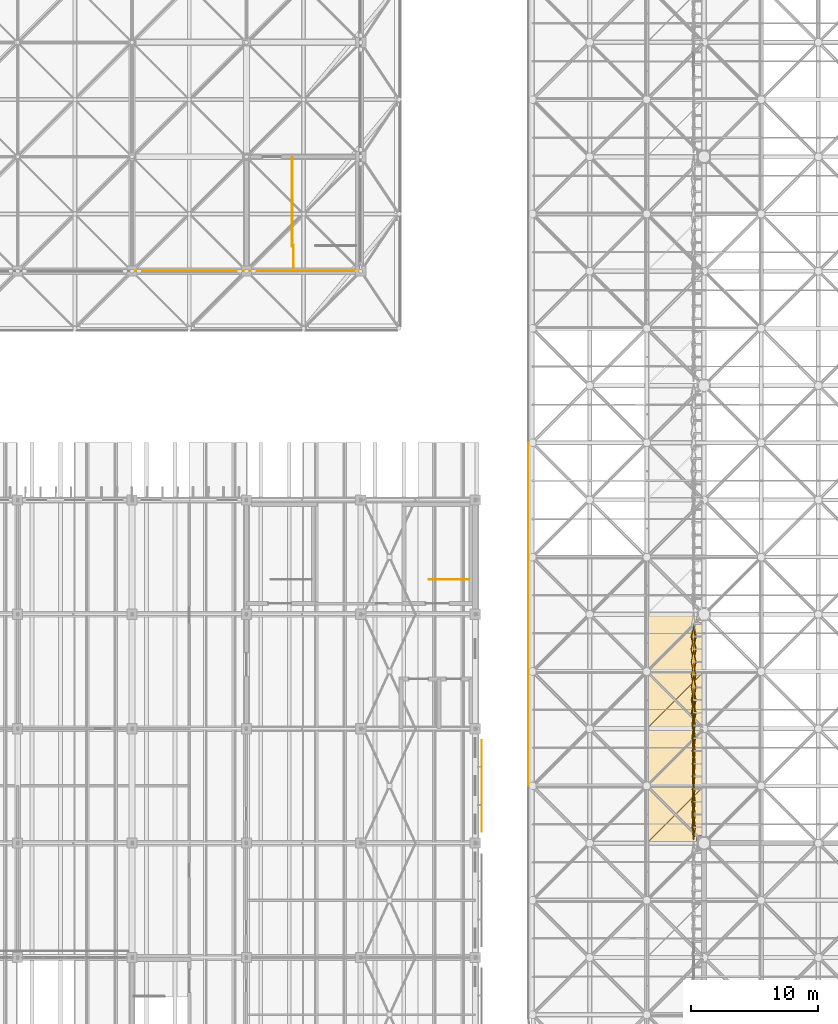
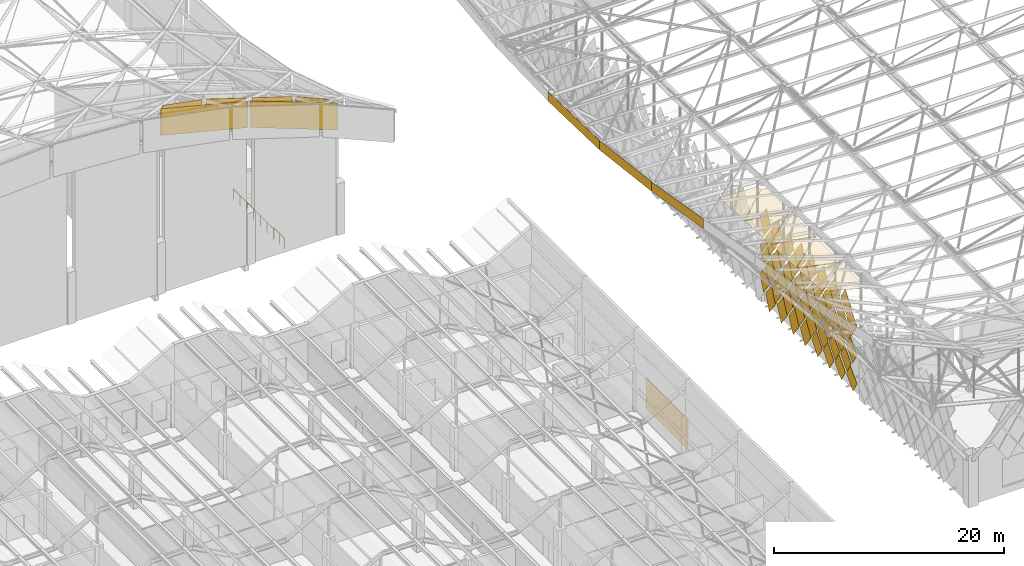
# One storey, part 410 of 437: 66 coverings, 3 railings.
"""IFC4 building model written with IfcOpenShell, lengths in metres."""

from ifc_helpers import new_model, si_unit, direction, frame, origin, origin_2d, place, context, subcontext, project, spatial, polyline, rectangle, circle, outline, extrude, material, layer, layer_set, constituent, constituent_set, material_profile, profile_set, type_object, element, save


model = new_model("IFC4")

# Units and contexts
model_context = context("Model", 3, precision=1e-05, world=origin(), true_north=direction((0.0, 1.0)))
body_context = subcontext(model_context, "Body", "Model", "MODEL_VIEW")
ifc_project = project(units=[si_unit("LENGTHUNIT", "METRE"), si_unit("AREAUNIT", "SQUARE_METRE"), si_unit("VOLUMEUNIT", "CUBIC_METRE"), si_unit("PLANEANGLEUNIT", "RADIAN"), si_unit("MASSUNIT", "GRAM", prefix="KILO")], contexts=[model_context])

# Site, building, storey
site_placement = place(None, origin())
site = spatial("IfcSite", under=ifc_project, at=site_placement, CompositionType="ELEMENT")
building_placement = place(site_placement, origin())
building = spatial("IfcBuilding", under=site, at=building_placement, Name="Opaline Strait Convention Centre", CompositionType="ELEMENT")
storey_placement = place(building_placement, frame((0.0, 0.0, 11.5)))
storey = spatial("IfcBuildingStorey", under=building, at=storey_placement, Name="L02", CompositionType="ELEMENT", Elevation=11.5)

# Coverings
ifc_material_1 = material(Name="White ceramic-faced aluminium tile", Category="aluminium")
ifc_material_profile_1 = material_profile(ifc_material_1, outline(polyline([(0.927978515625, 0.0), (0.0, 1.39208984375), (-0.927978515625, 0.0), (0.0, -1.39208984375), (0.927978515625, 0.0)])), Name="Diamond tile 1856x2784")
ifc_profile_set_1 = profile_set([ifc_material_profile_1], Name="White ceramic-faced aluminium tile")
covering_type_1 = type_object("IfcCoveringType", Name="Diamond wall tile 1856x2784x30 pivot 2.5 deg", PredefinedType="CLADDING", material=ifc_profile_set_1)
for number, where, z_axis, x_axis, name in (
    (1, (98.199951171875, 81.25, 1.89208984375), (-0.999174794796, 0.0, 0.040616861577), (0.0, -1.0, 0.0), "Wall tile XT05 W"),
    (2, (98.199951171875, 79.25, 1.89208984375), (-0.998812351125, 0.0, -0.048722553713), (0.0, -1.0, 0.0), "Wall tile XT05 W"),
    (3, (98.199951171875, 80.25, 3.39208984375), (-0.999174794796, 0.0, 0.040616861577), (0.0, -1.0, 0.0), "Wall tile XT05 W"),
    (4, (98.199951171875, 78.25, 3.39208984375), (-0.998812351125, 0.0, -0.048722553713), (0.0, -1.0, 0.0), "Wall tile XT05 W"),
    (5, (98.199951171875, 79.25, 4.89208984375), (-0.999174794796, 0.0, 0.040616861577), (0.0, -1.0, 0.0), "Wall tile XT05 W"),
    (6, (98.199951171875, 77.25, 4.89208984375), (-0.998812351125, 0.0, -0.048722553713), (0.0, -1.0, 0.0), "Wall tile XT05 W"),
    (7, (98.199951171875, 75.25, 4.89208984375), (-0.998812351125, 0.0, -0.048722553713), (0.0, -1.0, 0.0), "Wall tile XT05 W"),
    (8, (98.199951171875, 78.25, 6.39208984375), (-0.999174794796, 0.0, 0.040616861577), (0.0, -1.0, 0.0), "Wall tile XT05 W"),
    (9, (98.199951171875, 76.25, 6.39208984375), (-0.998812351125, 0.0, -0.048722553713), (0.0, -1.0, 0.0), "Wall tile XT05 W"),
    (10, (98.199951171875, 74.25, 6.39208984375), (-0.998812351125, 0.0, -0.048722553713), (0.0, -1.0, 0.0), "Wall tile XT05 W"),
    (11, (98.199951171875, 77.25, 7.89208984375), (-0.999174794796, 0.0, 0.040616861577), (0.0, -1.0, 0.0), "Wall tile XT05 W"),
    (12, (98.199951171875, 75.25, 7.89208984375), (-0.998812351125, 0.0, -0.048722553713), (0.0, -1.0, 0.0), "Wall tile XT05 W"),
    (13, (98.199951171875, 73.25, 7.89208984375), (-0.998812351125, 0.0, -0.048722553713), (0.0, -1.0, 0.0), "Wall tile XT05 W"),
    (14, (98.199951171875, 76.25, 9.39208984375), (-0.999174794796, 0.0, 0.040616861577), (0.0, -1.0, 0.0), "Wall tile XT05 W"),
    (15, (98.199951171875, 74.25, 9.39208984375), (-0.998812351125, 0.0, -0.048722553713), (0.0, -1.0, 0.0), "Wall tile XT05 W"),
):
    element("IfcCovering", number, at=place(storey_placement, frame(where, z_axis=z_axis, x_axis=x_axis)), inside=storey, type_object=covering_type_1, Name=name, PredefinedType="CLADDING", context=body_context, shape_type="SweptSolid", body=[
        extrude(outline(polyline([(0.927978515625, 0.0), (0.0, 1.39208984375), (-0.927978515625, 0.0), (0.0, -1.39208984375), (0.927978515625, 0.0)])), origin(), (0.0, 0.0, 1.0), 0.030029296875),
    ])
ifc_material_profile_2 = material_profile(ifc_material_1, outline(polyline([(0.927978515625, 0.0), (0.0, 1.39208984375), (-0.927978515625, 0.0), (0.0, -1.39208984375), (0.927978515625, 0.0)])), Name="Diamond tile 1856x2784")
ifc_profile_set_2 = profile_set([ifc_material_profile_2], Name="White ceramic-faced aluminium tile")
covering_type_2 = type_object("IfcCoveringType", Name="Diamond wall tile 1856x2784x30 pivot 3 deg", PredefinedType="CLADDING", material=ifc_profile_set_2)
for number, where, z_axis, x_axis, name in (
    (16, (98.199951171875, 77.25, 1.89208984375), (-0.998384516691, 0.0, -0.056818631031), (0.0, -1.0, 0.0), "Wall tile XT06 W"),
    (17, (98.199951171875, 76.25, 3.39208984375), (-0.998384516691, 0.0, -0.056818631031), (0.0, -1.0, 0.0), "Wall tile XT06 W"),
):
    element("IfcCovering", number, at=place(storey_placement, frame(where, z_axis=z_axis, x_axis=x_axis)), inside=storey, type_object=covering_type_2, Name=name, PredefinedType="CLADDING", context=body_context, shape_type="SweptSolid", body=[
        extrude(outline(polyline([(0.927978515625, 0.0), (0.0, 1.39208984375), (-0.927978515625, 0.0), (0.0, -1.39208984375), (0.927978515625, 0.0)])), origin(), (0.0, 0.0, 1.0), 0.030029296875),
    ])
ifc_material_profile_3 = material_profile(ifc_material_1, outline(polyline([(0.927978515625, 0.0), (0.0, 1.39208984375), (-0.927978515625, 0.0), (0.0, -1.39208984375), (0.927978515625, 0.0)])), Name="Diamond tile 1856x2784")
ifc_profile_set_3 = profile_set([ifc_material_profile_3], Name="White ceramic-faced aluminium tile")
covering_type_3 = type_object("IfcCoveringType", Name="Diamond wall tile 1856x2784x30 pivot 4 deg", PredefinedType="CLADDING", material=ifc_profile_set_3)
for number, where, z_axis, x_axis, name in (
    (18, (98.199951171875, 83.25, 1.89208984375), (-0.99785694905, 0.0, 0.065433242561), (0.0, -1.0, 0.0), "Wall tile XT08 W"),
    (19, (98.199951171875, 82.25, 3.39208984375), (-0.99785694905, 0.0, 0.065433242561), (0.0, -1.0, 0.0), "Wall tile XT08 W"),
    (20, (98.199951171875, 81.25, 4.89208984375), (-0.99785694905, 0.0, 0.065433242561), (0.0, -1.0, 0.0), "Wall tile XT08 W"),
    (21, (98.199951171875, 73.25, 4.89208984375), (-0.997290013252, 0.0, -0.073570574748), (0.0, -1.0, 0.0), "Wall tile XT08 W"),
    (22, (98.199951171875, 80.25, 6.39208984375), (-0.99785694905, 0.0, 0.065433242561), (0.0, -1.0, 0.0), "Wall tile XT08 W"),
):
    element("IfcCovering", number, at=place(storey_placement, frame(where, z_axis=z_axis, x_axis=x_axis)), inside=storey, type_object=covering_type_3, Name=name, PredefinedType="CLADDING", context=body_context, shape_type="SweptSolid", body=[
        extrude(outline(polyline([(0.927978515625, 0.0), (0.0, 1.39208984375), (-0.927978515625, 0.0), (0.0, -1.39208984375), (0.927978515625, 0.0)])), origin(), (0.0, 0.0, 1.0), 0.02978515625),
    ])
ifc_material_profile_4 = material_profile(ifc_material_1, outline(polyline([(0.927978515625, 0.0), (0.0, 1.39208984375), (-0.927978515625, 0.0), (0.0, -1.39208984375), (0.927978515625, 0.0)])), Name="Diamond tile 1856x2784")
ifc_profile_set_4 = profile_set([ifc_material_profile_4], Name="White ceramic-faced aluminium tile")
covering_type_4 = type_object("IfcCoveringType", Name="Diamond wall tile 1856x2784x30 pivot 4.5 deg", PredefinedType="CLADDING", material=ifc_profile_set_4)
for number, where, z_axis, x_axis, name in (
    (23, (98.199951171875, 74.25, 3.39208984375), (-0.996657521232, 0.0, -0.081693239445), (0.0, -1.0, 0.0), "Wall tile XT09 W"),
    (24, (98.199951171875, 79.25, 7.89208984375), (-0.997290013252, 0.0, 0.073570574748), (0.0, -1.0, 0.0), "Wall tile XT09 W"),
    (25, (98.199951171875, 78.25, 9.39208984375), (-0.997290013252, 0.0, 0.073570574748), (0.0, -1.0, 0.0), "Wall tile XT09 W"),
):
    element("IfcCovering", number, at=place(storey_placement, frame(where, z_axis=z_axis, x_axis=x_axis)), inside=storey, type_object=covering_type_4, Name=name, PredefinedType="CLADDING", context=body_context, shape_type="SweptSolid", body=[
        extrude(outline(polyline([(0.927978515625, 0.0), (0.0, 1.39208984375), (-0.927978515625, 0.0), (0.0, -1.39208984375), (0.927978515625, 0.0)])), origin(), (0.0, 0.0, 1.0), 0.02978515625),
    ])
ifc_material_profile_5 = material_profile(ifc_material_1, outline(polyline([(0.927978515625, 0.0), (0.0, 1.39208984375), (-0.927978515625, 0.0), (0.0, -1.39208984375), (0.927978515625, 0.0)])), Name="Diamond tile 1856x2784")
ifc_profile_set_5 = profile_set([ifc_material_profile_5], Name="White ceramic-faced aluminium tile")
covering_type_5 = type_object("IfcCoveringType", Name="Diamond wall tile 1856x2784x30 pivot 5 deg", PredefinedType="CLADDING", material=ifc_profile_set_5)
for number, where, z_axis, x_axis, name in (
    (26, (98.199951171875, 75.25, 1.89208984375), (-0.995959849254, 0.0, -0.089799658539), (0.0, -1.0, 0.0), "Wall tile XT10 W"),
    (27, (98.199951171875, 88.25, 9.39208984375), (-0.996657521232, 0.0, 0.081693239445), (0.0, -1.0, 0.0), "Wall tile XT10 W"),
):
    element("IfcCovering", number, at=place(storey_placement, frame(where, z_axis=z_axis, x_axis=x_axis)), inside=storey, type_object=covering_type_5, Name=name, PredefinedType="CLADDING", context=body_context, shape_type="SweptSolid", body=[
        extrude(outline(polyline([(0.927978515625, 0.0), (0.0, 1.39208984375), (-0.927978515625, 0.0), (0.0, -1.39208984375), (0.927978515625, 0.0)])), origin(), (0.0, 0.0, 1.0), 0.02978515625),
    ])
ifc_material_profile_6 = material_profile(ifc_material_1, outline(polyline([(0.927978515625, 0.0), (0.0, 1.39208984375), (-0.927978515625, 0.0), (0.0, -1.39208984375), (0.927978515625, 0.0)])), Name="Diamond tile 1856x2784")
ifc_profile_set_6 = profile_set([ifc_material_profile_6], Name="White ceramic-faced aluminium tile")
covering_type_6 = type_object("IfcCoveringType", Name="Diamond wall tile 1856x2784x30 pivot 5.5 deg", PredefinedType="CLADDING", material=ifc_profile_set_6)
covering_1_placement = place(storey_placement, frame((98.199951171875, 73.25, 1.89208984375), z_axis=(-0.995197410875, 0.0, -0.097888269922), x_axis=(0.0, -1.0, 0.0)))
element("IfcCovering", 28, at=covering_1_placement, inside=storey, type_object=covering_type_6, Name="Wall tile XT11 W", PredefinedType="CLADDING", context=body_context, shape_type="SweptSolid", body=[
    extrude(outline(polyline([(0.927978515625, 0.0), (0.0, 1.39208984375), (-0.927978515625, 0.0), (0.0, -1.39208984375), (0.927978515625, 0.0)])), origin(), (0.0, 0.0, 1.0), 0.030029296875),
])
ifc_material_profile_7 = material_profile(ifc_material_1, outline(polyline([(0.927978515625, 0.0), (0.0, 1.39208984375), (-0.927978515625, 0.0), (0.0, -1.39208984375), (0.927978515625, 0.0)])), Name="Diamond tile 1856x2784")
ifc_profile_set_7 = profile_set([ifc_material_profile_7], Name="White ceramic-faced aluminium tile")
covering_type_7 = type_object("IfcCoveringType", Name="Diamond wall tile 1856x2784x30 pivot 6 deg", PredefinedType="CLADDING", material=ifc_profile_set_7)
for number, where, z_axis, x_axis, name in (
    (29, (98.199951171875, 85.25, 1.89208984375), (-0.995197410875, 0.0, 0.097888269922), (0.0, -1.0, 0.0), "Wall tile XT12 W"),
    (30, (98.199951171875, 84.25, 3.39208984375), (-0.995197410875, 0.0, 0.097888269922), (0.0, -1.0, 0.0), "Wall tile XT12 W"),
    (31, (98.199951171875, 83.25, 4.89208984375), (-0.995197410875, 0.0, 0.097888269922), (0.0, -1.0, 0.0), "Wall tile XT12 W"),
    (32, (98.199951171875, 81.25, 7.89208984375), (-0.995197410875, 0.0, 0.097888269922), (0.0, -1.0, 0.0), "Wall tile XT12 W"),
    (33, (98.199951171875, 80.25, 9.39208984375), (-0.995197410875, 0.0, 0.097888269922), (0.0, -1.0, 0.0), "Wall tile XT12 W"),
):
    element("IfcCovering", number, at=place(storey_placement, frame(where, z_axis=z_axis, x_axis=x_axis)), inside=storey, type_object=covering_type_7, Name=name, PredefinedType="CLADDING", context=body_context, shape_type="SweptSolid", body=[
        extrude(outline(polyline([(0.927978515625, 0.0), (0.0, 1.39208984375), (-0.927978515625, 0.0), (0.0, -1.39208984375), (0.927978515625, 0.0)])), origin(), (0.0, 0.0, 1.0), 0.030029296875),
    ])
ifc_material_profile_8 = material_profile(ifc_material_1, outline(polyline([(0.927978515625, 0.0), (0.0, 1.39208984375), (-0.927978515625, 0.0), (0.0, -1.39208984375), (0.927978515625, 0.0)])), Name="Diamond tile 1856x2784")
ifc_profile_set_8 = profile_set([ifc_material_profile_8], Name="White ceramic-faced aluminium tile")
covering_type_8 = type_object("IfcCoveringType", Name="Diamond wall tile 1856x2784x30 pivot 6.5 deg", PredefinedType="CLADDING", material=ifc_profile_set_8)
for number, where, z_axis, x_axis, name in (
    (34, (98.199951171875, 82.25, 6.39208984375), (-0.993480071526, 0.0, 0.114005909847), (0.0, -1.0, 0.0), "Wall tile XT13 W"),
    (35, (98.199951171875, 86.25, 9.39208984375), (-0.993480071526, 0.0, 0.114005909847), (0.0, -1.0, 0.0), "Wall tile XT13 W"),
):
    element("IfcCovering", number, at=place(storey_placement, frame(where, z_axis=z_axis, x_axis=x_axis)), inside=storey, type_object=covering_type_8, Name=name, PredefinedType="CLADDING", context=body_context, shape_type="SweptSolid", body=[
        extrude(outline(polyline([(0.927978515625, 0.0), (0.0, 1.39208984375), (-0.927978515625, 0.0), (0.0, -1.39208984375), (0.927978515625, 0.0)])), origin(), (0.0, 0.0, 1.0), 0.030029296875),
    ])
ifc_material_profile_9 = material_profile(ifc_material_1, outline(polyline([(0.927978515625, 0.0), (0.0, 1.39208984375), (-0.927978515625, 0.0), (0.0, -1.39208984375), (0.927978515625, 0.0)])), Name="Diamond tile 1856x2784")
ifc_profile_set_9 = profile_set([ifc_material_profile_9], Name="White ceramic-faced aluminium tile")
covering_type_9 = type_object("IfcCoveringType", Name="Diamond wall tile 1856x2784x30 pivot 7 deg", PredefinedType="CLADDING", material=ifc_profile_set_9)
for number, where, z_axis, x_axis, name in (
    (36, (98.199951171875, 86.25, 3.39208984375), (-0.992526177815, 0.0, 0.122031907108), (0.0, -1.0, 0.0), "Wall tile XT14 W"),
    (37, (98.199951171875, 88.25, 6.39208984375), (-0.992526177815, 0.0, 0.122031907108), (0.0, -1.0, 0.0), "Wall tile XT14 W"),
    (38, (98.199951171875, 87.25, 7.89208984375), (-0.992526177815, 0.0, 0.122031907108), (0.0, -1.0, 0.0), "Wall tile XT14 W"),
):
    element("IfcCovering", number, at=place(storey_placement, frame(where, z_axis=z_axis, x_axis=x_axis)), inside=storey, type_object=covering_type_9, Name=name, PredefinedType="CLADDING", context=body_context, shape_type="SweptSolid", body=[
        extrude(outline(polyline([(0.927978515625, 0.0), (0.0, 1.39208984375), (-0.927978515625, 0.0), (0.0, -1.39208984375), (0.927978515625, 0.0)])), origin(), (0.0, 0.0, 1.0), 0.030029296875),
    ])
ifc_material_profile_10 = material_profile(ifc_material_1, outline(polyline([(0.927978515625, 0.0), (0.0, 1.39208984375), (-0.927978515625, 0.0), (0.0, -1.39208984375), (0.927978515625, 0.0)])), Name="Diamond tile 1856x2784")
ifc_profile_set_10 = profile_set([ifc_material_profile_10], Name="White ceramic-faced aluminium tile")
covering_type_10 = type_object("IfcCoveringType", Name="Diamond wall tile 1856x2784x30 pivot 7.5 deg", PredefinedType="CLADDING", material=ifc_profile_set_10)
for number, where, z_axis, x_axis, name in (
    (39, (98.199951171875, 87.25, 1.89208984375), (-0.991509530601, 0.0, 0.1300340368), (0.0, -1.0, 0.0), "Wall tile XT15 W"),
    (40, (98.199951171875, 85.25, 4.89208984375), (-0.991509530601, 0.0, 0.1300340368), (0.0, -1.0, 0.0), "Wall tile XT15 W"),
    (41, (98.199951171875, 86.25, 6.39208984375), (-0.991509530601, 0.0, 0.1300340368), (0.0, -1.0, 0.0), "Wall tile XT15 W"),
    (42, (98.199951171875, 84.25, 6.39208984375), (-0.991509530601, 0.0, 0.1300340368), (0.0, -1.0, 0.0), "Wall tile XT15 W"),
    (43, (98.199951171875, 85.25, 7.89208984375), (-0.991509530601, 0.0, 0.1300340368), (0.0, -1.0, 0.0), "Wall tile XT15 W"),
    (44, (98.199951171875, 83.25, 7.89208984375), (-0.991509530601, 0.0, 0.1300340368), (0.0, -1.0, 0.0), "Wall tile XT15 W"),
    (45, (98.199951171875, 84.25, 9.39208984375), (-0.991509530601, 0.0, 0.1300340368), (0.0, -1.0, 0.0), "Wall tile XT15 W"),
    (46, (98.199951171875, 82.25, 9.39208984375), (-0.991509530601, 0.0, 0.1300340368), (0.0, -1.0, 0.0), "Wall tile XT15 W"),
):
    element("IfcCovering", number, at=place(storey_placement, frame(where, z_axis=z_axis, x_axis=x_axis)), inside=storey, type_object=covering_type_10, Name=name, PredefinedType="CLADDING", context=body_context, shape_type="SweptSolid", body=[
        extrude(outline(polyline([(0.927978515625, 0.0), (0.0, 1.39208984375), (-0.927978515625, 0.0), (0.0, -1.39208984375), (0.927978515625, 0.0)])), origin(), (0.0, 0.0, 1.0), 0.030029296875),
    ])
ifc_material_profile_11 = material_profile(ifc_material_1, outline(polyline([(0.927978515625, 0.0), (0.0, 1.39208984375), (-0.927978515625, 0.0), (0.0, -1.39208984375), (0.927978515625, 0.0)])), Name="Diamond tile 1856x2784")
ifc_profile_set_11 = profile_set([ifc_material_profile_11], Name="White ceramic-faced aluminium tile")
covering_type_11 = type_object("IfcCoveringType", Name="Diamond wall tile 1856x2784x30 pivot 8 deg", PredefinedType="CLADDING", material=ifc_profile_set_11)
for number, where, z_axis, x_axis, name in (
    (47, (98.199951171875, 88.25, 3.39208984375), (-0.990274204789, 0.0, 0.139129433731), (0.0, -1.0, 0.0), "Wall tile XT16 W"),
    (48, (98.199951171875, 87.25, 4.89208984375), (-0.990274204789, 0.0, 0.139129433731), (0.0, -1.0, 0.0), "Wall tile XT16 W"),
):
    element("IfcCovering", number, at=place(storey_placement, frame(where, z_axis=z_axis, x_axis=x_axis)), inside=storey, type_object=covering_type_11, Name=name, PredefinedType="CLADDING", context=body_context, shape_type="SweptSolid", body=[
        extrude(outline(polyline([(0.927978515625, 0.0), (0.0, 1.39208984375), (-0.927978515625, 0.0), (0.0, -1.39208984375), (0.927978515625, 0.0)])), origin(), (0.0, 0.0, 1.0), 0.02978515625),
    ])
ifc_material_2 = material(Name="White aluminium fascia plate", Category="aluminium")
ifc_layer_1 = layer(ifc_material_2, 0.02001953125)
ifc_layer_set_1 = layer_set([ifc_layer_1], Name="White aluminium fascia plate")
covering_type_12 = type_object("IfcCoveringType", Name="Edge fascia plate 20 aluminium", PredefinedType="CLADDING", material=ifc_layer_set_1)
covering_2_placement = place(storey_placement, frame((85.199951171875, 99.0, 18.12646484375), z_axis=(-1.0, 0.0, 0.0), x_axis=(0.0, -1.0, 0.0)))
element("IfcCovering", 49, at=covering_2_placement, inside=storey, type_object=covering_type_12, Name="Edge fascia plate W", PredefinedType="CLADDING", context=body_context, shape_type="SweptSolid", body=[
    extrude(outline(polyline([(-4.5, 0.373779296875), (4.5, 0.62646484375), (4.5, -0.37353515625), (-4.5, -0.626220703125), (-4.5, 0.373779296875)])), origin(), (0.0, 0.0, 1.0), 0.02001953125),
])
covering_3_placement = place(storey_placement, frame((85.199951171875, 90.0, 18.79638671875), z_axis=(-1.0, 0.0, 0.0), x_axis=(0.0, -1.0, 0.0)))
element("IfcCovering", 50, at=covering_3_placement, inside=storey, type_object=covering_type_12, Name="Edge fascia plate W", PredefinedType="CLADDING", context=body_context, shape_type="SweptSolid", body=[
    extrude(outline(polyline([(-4.5, -0.043701171875), (4.5, 1.043701171875), (4.5, 0.043701171875), (-4.5, -1.043701171875), (-4.5, -0.043701171875)])), origin(), (0.0, 0.0, 1.0), 0.02001953125),
])
covering_4_placement = place(storey_placement, frame((85.199951171875, 81.0, 20.103515625), z_axis=(-1.0, 0.0, 0.0), x_axis=(0.0, -1.0, 0.0)))
element("IfcCovering", 51, at=covering_4_placement, inside=storey, type_object=covering_type_12, Name="Edge fascia plate W", PredefinedType="CLADDING", context=body_context, shape_type="SweptSolid", body=[
    extrude(outline(polyline([(-4.5, -0.263671875), (4.5, 1.263671875), (4.5, 0.263671875), (-4.5, -1.263671875), (-4.5, -0.263671875)])), origin(), (0.0, 0.0, 1.0), 0.02001953125),
])
ifc_material_3 = material(Name="Perforated aluminium sheet", Category="aluminium")
ifc_layer_2 = layer(ifc_material_3, 0.030029296875)
ifc_layer_set_2 = layer_set([ifc_layer_2], Name="Perforated aluminium sheet")
covering_type_13 = type_object("IfcCoveringType", Name="Perforated aluminium screen 7200x3300", PredefinedType="CLADDING", material=ifc_layer_set_2)
covering_5_placement = place(storey_placement, frame((81.514892578125, 76.5, 0.39990234375), z_axis=(0.0, 0.0, 1.0), x_axis=(1.0, 0.0, 0.0)))
element("IfcCovering", 52, at=covering_5_placement, inside=storey, type_object=covering_type_13, Name="Perforated screen L02 bay 8", PredefinedType="CLADDING", context=body_context, shape_type="SweptSolid", body=[
    extrude(rectangle(XDim=0.030029296875, YDim=7.199951171875, at=origin_2d()), origin(), (0.0, 0.0, 1.0), 3.300048828125),
])

# Railings
ifc_material_4 = material(Name="Steel Q355B", Category="steel")
ifc_constituent_1 = constituent(ifc_material_4, Name="Frame")
ifc_material_5 = material(Name="Safety glass, bonded interlayer", Category="glass")
ifc_constituent_2 = constituent(ifc_material_5, Name="Infill")
ifc_constituent_set_1 = constituent_set(constituents=[ifc_constituent_1, ifc_constituent_2], Name="Steel Q355B, Safety glass, bonded interlayer")
railing_type_1 = type_object("IfcRailingType", Name="Seating guard 1100 steel and glass", PredefinedType="GUARDRAIL", material=ifc_constituent_set_1)
railing_1_placement = place(storey_placement, frame((66.60009765625, 118.949951171875, 0.0)))
element("IfcRailing", 53, at=railing_1_placement, inside=storey, type_object=railing_type_1, Name="L02 PSR2 top well guard 2", PredefinedType="GUARDRAIL", context=body_context, shape_type="SweptSolid", body=[
    extrude(circle(Radius=0.02392578125, at=origin_2d()), frame((0.0, 0.0, 1.076171875), z_axis=(0.0, 1.0, 0.0), x_axis=(-1.0, 0.0, 0.0)), (0.0, 0.0, 1.0), 7.0),
    extrude(circle(Radius=0.02099609375, at=origin_2d()), origin(), (0.0, 0.0, 1.0), 1.052001953125),
    extrude(circle(Radius=0.02099609375, at=origin_2d()), frame((0.0, 1.166748046875, 0.0)), (0.0, 0.0, 1.0), 1.052001953125),
    extrude(circle(Radius=0.02099609375, at=origin_2d()), frame((0.0, 2.333251953125, 0.0)), (0.0, 0.0, 1.0), 1.052001953125),
    extrude(circle(Radius=0.02099609375, at=origin_2d()), frame((0.0, 3.5, 0.0)), (0.0, 0.0, 1.0), 1.052001953125),
    extrude(circle(Radius=0.02099609375, at=origin_2d()), frame((0.0, 4.666748046875, 0.0)), (0.0, 0.0, 1.0), 1.052001953125),
    extrude(circle(Radius=0.02099609375, at=origin_2d()), frame((0.0, 5.833251953125, 0.0)), (0.0, 0.0, 1.0), 1.052001953125),
    extrude(circle(Radius=0.02099609375, at=origin_2d()), frame((0.0, 7.0, 0.0)), (0.0, 0.0, 1.0), 1.052001953125),
])
railing_2_placement = place(storey_placement, frame((66.699951171875, 117.25, 0.0)))
element("IfcRailing", 54, at=railing_2_placement, inside=storey, type_object=railing_type_1, Name="L02 PSR2 top well guard 3", PredefinedType="GUARDRAIL", context=body_context, shape_type="SweptSolid", body=[
    extrude(circle(Radius=0.02392578125, at=origin_2d()), frame((0.0, 0.0, 1.076171875), z_axis=(0.0, 1.0, 0.0), x_axis=(-1.0, 0.0, 0.0)), (0.0, 0.0, 1.0), 1.800048828125),
    extrude(circle(Radius=0.02099609375, at=origin_2d()), origin(), (0.0, 0.0, 1.0), 1.052001953125),
    extrude(circle(Radius=0.02099609375, at=origin_2d()), frame((0.0, 0.89990234375, 0.0)), (0.0, 0.0, 1.0), 1.052001953125),
    extrude(circle(Radius=0.02099609375, at=origin_2d()), frame((0.0, 1.800048828125, 0.0)), (0.0, 0.0, 1.0), 1.052001953125),
])

# Coverings
ifc_material_6 = material(Name="Aluminium composite cladding panel, white", Category="aluminium")
ifc_layer_3 = layer(ifc_material_6, 0.0400390625)
ifc_layer_set_3 = layer_set([ifc_layer_3], Name="Aluminium composite cladding panel, white")
covering_type_14 = type_object("IfcCoveringType", Name="Shell edge frieze panel 40", PredefinedType="CLADDING", material=ifc_layer_set_3)
covering_6_placement = place(storey_placement, frame((54.14990234375, 117.0, 16.521484375), z_axis=(0.0, -1.0, 0.0), x_axis=(0.969233447146, 0.0, -0.246143301624)))
element("IfcCovering", 55, at=covering_6_placement, inside=storey, type_object=covering_type_14, Name="PFR1 frieze band S 6", PredefinedType="CLADDING", context=body_context, shape_type="SweptSolid", body=[
    extrude(outline(polyline([(0.0, 0.0), (8.976367188031215, 0.0), (8.280844098921243, 2.738747050113033), (-0.6955230891099715, 2.7387470501130324), (0.0, 0.0)])), origin(), (0.0, 0.0, -1.0), 0.0400390625),
])
covering_7_placement = place(storey_placement, frame((54.300048828125, 117.0, 19.30908203125), z_axis=(0.0, -1.0, 0.0), x_axis=(0.969230993258, 0.0, -0.246152964047)))
element("IfcCovering", 56, at=covering_7_placement, inside=storey, type_object=covering_type_14, Name="PFR1 frieze closure S 61", PredefinedType="CLADDING", context=body_context, shape_type="SweptSolid", body=[
    extrude(outline(polyline([(0.0, 0.0), (4.126983173078632, 0.0), (3.9795678359675355, 0.5804501041163703), (-0.08491556108356313, 0.3343562972345826), (0.0, 0.0)])), origin(), (0.0, 0.0, -1.0), 0.0400390625),
])
covering_8_placement = place(storey_placement, frame((58.699951171875, 117.0, 18.191650390625), z_axis=(0.0, -1.0, 0.0), x_axis=(0.969230993258, 0.0, -0.246152964047)))
element("IfcCovering", 57, at=covering_8_placement, inside=storey, type_object=covering_type_14, Name="PFR1 frieze closure S 62", PredefinedType="CLADDING", context=body_context, shape_type="SweptSolid", body=[
    extrude(outline(polyline([(0.0, 0.0), (4.126983173078632, 0.0), (4.042067611995069, 0.3343562972345826), (-0.14747543304958521, 0.5806867327768335), (0.0, 0.0)])), origin(), (0.0, 0.0, -1.0), 0.0400390625),
])
covering_9_placement = place(storey_placement, frame((63.14990234375, 117.0, 14.221923828125), z_axis=(0.0, -1.0, 0.0), x_axis=(0.934493135261, 0.0, -0.355981151397)))
element("IfcCovering", 58, at=covering_9_placement, inside=storey, type_object=covering_type_14, Name="PFR1 frieze band S 7", PredefinedType="CLADDING", context=body_context, shape_type="SweptSolid", body=[
    extrude(outline(polyline([(0.0, 0.0), (9.310068725189893, 0.0), (8.289664746052193, 2.6786825930424363), (-1.004065000509143, 2.6357908182794705), (0.0, 0.0)])), origin(), (0.0, 0.0, -1.0), 0.0400390625),
])
covering_10_placement = place(storey_placement, frame((63.300048828125, 117.0, 16.986083984375), z_axis=(0.0, -1.0, 0.0), x_axis=(0.936122385256, 0.0, -0.351674394608)))
element("IfcCovering", 59, at=covering_10_placement, inside=storey, type_object=covering_type_14, Name="PFR1 frieze closure S 71", PredefinedType="CLADDING", context=body_context, shape_type="SweptSolid", body=[
    extrude(outline(polyline([(0.0, 0.0), (4.272945571006845, 0.0), (4.069977243650319, 0.540281571959275), (-0.12105978915934983, 0.32224916094017664), (0.0, 0.0)])), origin(), (0.0, 0.0, -1.0), 0.0400390625),
])
covering_11_placement = place(storey_placement, frame((67.699951171875, 117.0, 15.3330078125), z_axis=(0.0, -1.0, 0.0), x_axis=(0.936144087686, 0.0, -0.351616619474)))
element("IfcCovering", 60, at=covering_11_placement, inside=storey, type_object=covering_type_14, Name="PFR1 frieze closure S 72", PredefinedType="CLADDING", context=body_context, shape_type="SweptSolid", body=[
    extrude(outline(polyline([(0.0, 0.0), (3.4716877911737347, 0.0), (3.335281832105516, 0.3631672254232251), (-0.2029349825281741, 0.5402940974830107), (0.0, 0.0)])), origin(), (0.0, 0.0, -1.0), 0.0400390625),
])
ifc_material_7 = material(Name="White aluminium soffit panel", Category="aluminium")
ifc_layer_4 = layer(ifc_material_7, 0.011962890625)
ifc_layer_set_4 = layer_set([ifc_layer_4], Name="White aluminium soffit panel")
covering_type_15 = type_object("IfcCoveringType", Name="Soffit lining panel 12 aluminium", PredefinedType="CEILING", material=ifc_layer_set_4)
covering_12_placement = place(storey_placement, frame((94.54833984375, 72.02001953125, 13.12939453125), z_axis=(0.258734508722, -2.2585036e-05, 0.965948473515), x_axis=(0.694758564219, 0.694755566952, -0.186078584565)))
element("IfcCovering", 61, at=covering_12_placement, inside=storey, type_object=covering_type_15, Name="Soffit lining panel", PredefinedType="CEILING", context=body_context, shape_type="SweptSolid", body=[
    extrude(outline(polyline([(0.0, 0.0), (6.378704733195556, 4.163336342344337e-16), (3.7028102448566402, -2.7702206358188888), (3.2709029381263663, -2.353019797047173), (2.867890431515485, -2.7702386250584357), (0.0, 0.0)])), origin(), (0.0, 0.0, -1.0), 0.011962890625),
])
covering_13_placement = place(storey_placement, frame((94.52001953125, 72.04833984375, 13.15087890625), z_axis=(0.204462037064, 0.057279517492, 0.977197181881), x_axis=(0.0, 0.99828648889, -0.058515691063)))
element("IfcCovering", 62, at=covering_13_placement, inside=storey, type_object=covering_type_15, Name="Soffit lining panel", PredefinedType="CEILING", context=body_context, shape_type="SweptSolid", body=[
    extrude(outline(polyline([(0.0, 0.0), (4.439247324612815, 0.0), (4.4935057705742105, -4.527281741681963), (0.0, 0.0)])), origin(), (0.0, 0.0, -1.0), 0.011962890625),
])
covering_14_placement = place(storey_placement, frame((94.54833984375, 76.52001953125, 12.886474609375), z_axis=(0.20479827884, 0.0, 0.978804201556), x_axis=(0.699492538259, 0.699492538259, -0.146357021833)))
element("IfcCovering", 63, at=covering_14_placement, inside=storey, type_object=covering_type_15, Name="Soffit lining panel", PredefinedType="CEILING", context=body_context, shape_type="SweptSolid", body=[
    extrude(outline(polyline([(0.0, 0.0), (6.3355080756538715, 1.1102230246251565e-16), (3.2356085262205836, -3.1670272200556937), (0.0, 0.0)])), origin(), (0.0, 0.0, -1.0), 0.011962890625),
])
covering_15_placement = place(storey_placement, frame((94.52001953125, 76.54833984375, 12.905517578125), z_axis=(0.148527083203, 0.057975053348, 0.987207475025), x_axis=(0.0, 0.998280057689, -0.058625305283)))
element("IfcCovering", 64, at=covering_15_placement, inside=storey, type_object=covering_type_15, Name="Soffit lining panel", PredefinedType="CEILING", context=body_context, shape_type="SweptSolid", body=[
    extrude(outline(polyline([(0.0, 0.0), (4.439275923488962, 0.0), (4.478364231283851, -4.48134619186643), (0.0, 0.0)])), origin(), (0.0, 0.0, -1.0), 0.011962890625),
])
covering_16_placement = place(storey_placement, frame((94.54833984375, 81.02001953125, 12.643310546875), z_axis=(0.148830592632, 0.0, 0.988862707709), x_axis=(0.703136079276, 0.703136079276, -0.105826783196)))
element("IfcCovering", 65, at=covering_16_placement, inside=storey, type_object=covering_type_15, Name="Soffit lining panel", PredefinedType="CEILING", context=body_context, shape_type="SweptSolid", body=[
    extrude(outline(polyline([(0.0, 0.0), (6.302678465262751, -2.220446049250313e-16), (3.1866320514415043, -3.151141598859395), (0.0, 0.0)])), origin(), (0.0, 0.0, -1.0), 0.011962890625),
])
covering_17_placement = place(storey_placement, frame((94.52001953125, 81.04833984375, 12.657958984375), z_axis=(0.10013004148, 0.049435444208, 0.993745496417), x_axis=(0.0, 0.998764930539, -0.049685143911)))
element("IfcCovering", 66, at=covering_17_placement, inside=storey, type_object=covering_type_15, Name="Soffit lining panel", PredefinedType="CEILING", context=body_context, shape_type="SweptSolid", body=[
    extrude(outline(polyline([(0.0, 0.0), (4.4371207773670145, 0.0), (4.4593068438254235, -4.454024956048021), (0.0, 0.0)])), origin(), (0.0, 0.0, -1.0), 0.011962890625),
])
covering_18_placement = place(storey_placement, frame((98.97998046875, 85.52001953125, 11.99072265625), z_axis=(0.100314471774, -8.759874e-06, 0.994955781267), x_axis=(-0.994955781305, -6.7e-11, 0.100314471778)))
element("IfcCovering", 67, at=covering_18_placement, inside=storey, type_object=covering_type_15, Name="Soffit lining panel", PredefinedType="CEILING", context=body_context, shape_type="SweptSolid", body=[
    extrude(outline(polyline([(0.0, 0.0), (4.45410469374975, 8.470329472543003e-22), (0.5545585361943436, -3.87988281268593), (-2.5934180535176236e-10, -3.8798828123511377), (0.0, 0.0)])), origin(), (0.0, 0.0, -1.0), 0.011962890625),
])
covering_19_placement = place(storey_placement, frame((98.39990234375, 89.42822265625, 12.049072265625), z_axis=(0.050926702176, 0.049599843824, 0.997469962705), x_axis=(-0.705318066887, -0.705318103307, 0.071083033628)))
element("IfcCovering", 68, at=covering_19_placement, inside=storey, type_object=covering_type_15, Name="Soffit lining panel", PredefinedType="CEILING", context=body_context, shape_type="SweptSolid", body=[
    extrude(outline(polyline([(0.0, 0.0), (5.500887195694936, 5.325601071248798e-16), (2.3595172963868327, -3.1336445777211193), (-0.39112580475448994, -0.3901517107752082), (0.0, 0.0)])), origin(), (0.0, 0.0, -1.0), 0.011962890625),
])

# Railing
ifc_material_8 = material(Name="Steel Q235B", Category="steel")
ifc_constituent_3 = constituent(ifc_material_8, Name="Frame")
ifc_constituent_4 = constituent(ifc_material_5, Name="Infill")
ifc_constituent_set_2 = constituent_set(constituents=[ifc_constituent_3, ifc_constituent_4], Name="Steel Q235B, Safety glass, bonded interlayer")
railing_type_2 = type_object("IfcRailingType", Name="Stair guard 1100 Q235B and glass", PredefinedType="GUARDRAIL", material=ifc_constituent_set_2)
railing_3_placement = place(storey_placement, frame((80.5, 92.75, 0.0)))
element("IfcRailing", 69, at=railing_3_placement, inside=storey, type_object=railing_type_2, Name="L02 NEA top well guard 1", PredefinedType="GUARDRAIL", context=body_context, shape_type="SweptSolid", body=[
    extrude(circle(Radius=0.02392578125, at=origin_2d()), frame((0.0, 0.0, 1.076171875), z_axis=(-1.0, 0.0, 0.0), x_axis=(0.0, -1.0, 0.0)), (0.0, 0.0, 1.0), 3.14990234375),
    extrude(circle(Radius=0.02099609375, at=origin_2d()), origin(), (0.0, 0.0, 1.0), 1.052001953125),
    extrude(circle(Radius=0.02099609375, at=origin_2d()), frame((-1.050048828125, 0.0, 0.0)), (0.0, 0.0, 1.0), 1.052001953125),
    extrude(circle(Radius=0.02099609375, at=origin_2d()), frame((-2.099853515625, 0.0, 0.0)), (0.0, 0.0, 1.0), 1.052001953125),
    extrude(circle(Radius=0.02099609375, at=origin_2d()), frame((-3.14990234375, 0.0, 0.0)), (0.0, 0.0, 1.0), 1.052001953125),
])

save(model, "model.ifc")
